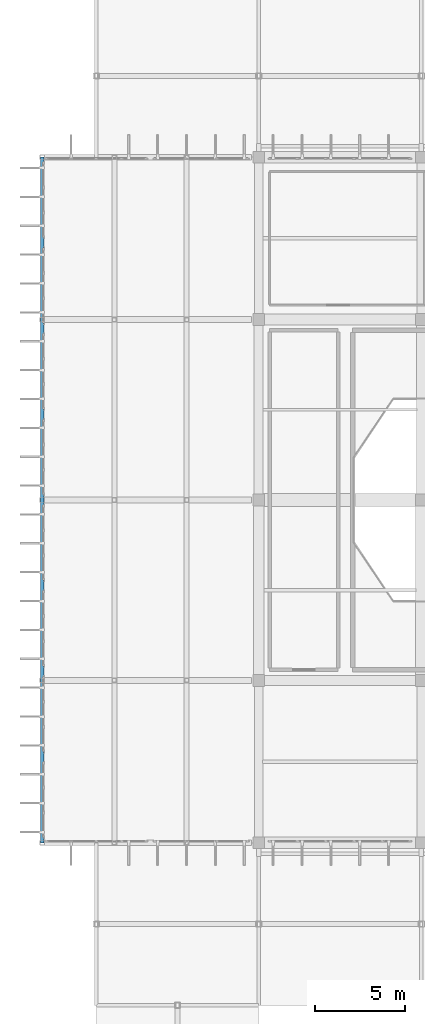
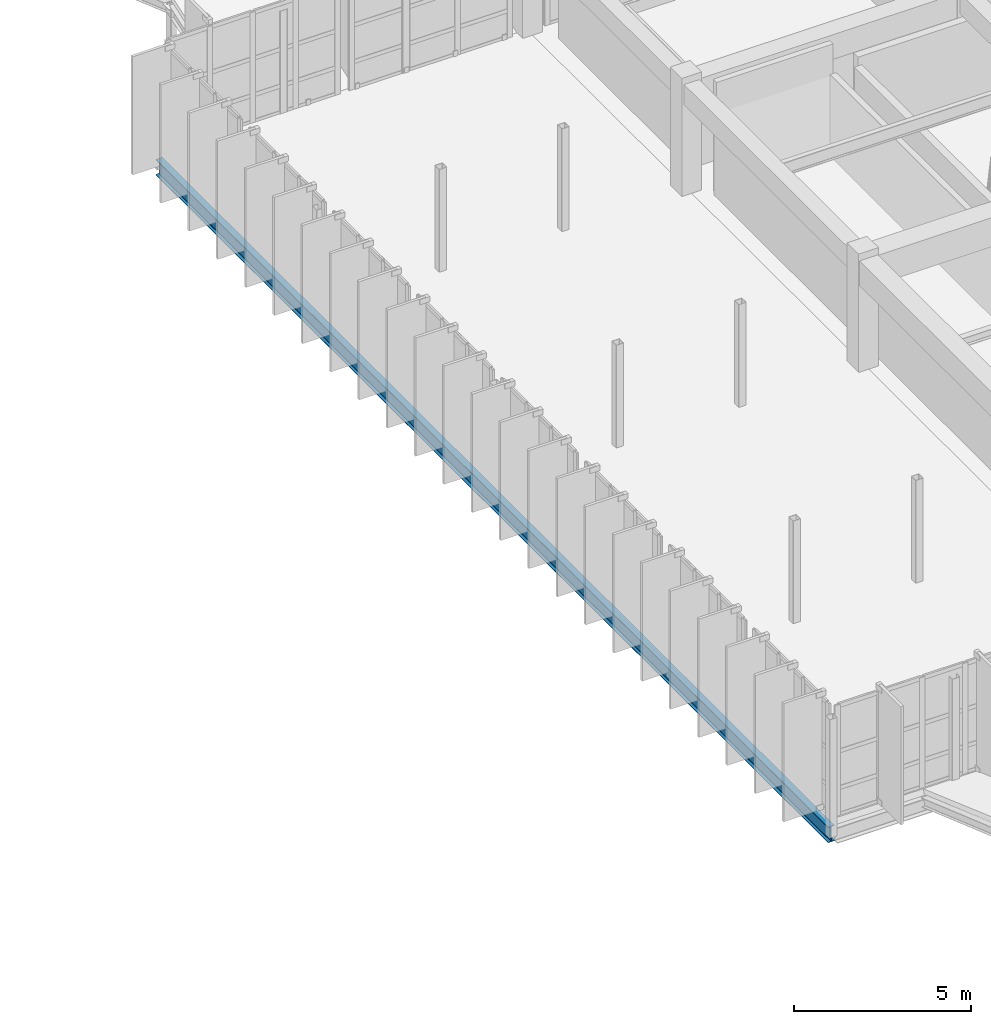
# One storey, part 24 of 80: 1 beam.
"""IFC4 building model written with IfcOpenShell, lengths in metres."""

from ifc_helpers import new_model, si_unit, direction, frame, origin, origin_2d, place, context, subcontext, project, spatial, i_section, extrude, material, material_profile, profile_set, type_object, element, save


model = new_model("IFC4")

# Units and contexts
model_context = context("Model", 3, precision=1e-05, world=origin(), true_north=direction((0.0, 1.0)))
body_context = subcontext(model_context, "Body", "Model", "MODEL_VIEW")
ifc_project = project(units=[si_unit("LENGTHUNIT", "METRE"), si_unit("AREAUNIT", "SQUARE_METRE"), si_unit("VOLUMEUNIT", "CUBIC_METRE"), si_unit("PLANEANGLEUNIT", "RADIAN"), si_unit("MASSUNIT", "GRAM", prefix="KILO")], contexts=[model_context])

# Site, building, storey
site_placement = place(None, origin())
site = spatial("IfcSite", under=ifc_project, at=site_placement, CompositionType="ELEMENT")
building_placement = place(site_placement, origin())
building = spatial("IfcBuilding", under=site, at=building_placement, Name="Miravela Opera House", CompositionType="ELEMENT")
storey_placement = place(building_placement, frame((0.0, 0.0, 17.679931640625)))
storey = spatial("IfcBuildingStorey", under=building, at=storey_placement, Name="L04", CompositionType="ELEMENT", Elevation=17.679931640625)

# Beam
ifc_material = material(Name="Structural steel ASTM A992 Gr. 50", Category="steel")
ifc_material_profile = material_profile(ifc_material, i_section(OverallWidth=0.2109375, OverallDepth=0.5390625, WebThickness=0.01171875, FlangeThickness=0.018798828125, FilletRadius=0.01611328125, at=origin_2d()), Name="W530X109")
ifc_profile_set = profile_set([ifc_material_profile])
beam_type = type_object("IfcBeamType", Name="STR-BM-W530X109", PredefinedType="SPANDREL", material=ifc_profile_set)
beam_placement = place(storey_placement, frame((15.0, 37.0, -0.509521484375), z_axis=(0.0, 1.0, 0.0), x_axis=(-1.0, 0.0, 0.0)))
element("IfcBeam", 1, at=beam_placement, inside=storey, type_object=beam_type, Name="Cantilever Overhang Fascia Spandrel L04 X=15", PredefinedType="SPANDREL", context=body_context, shape_type="SweptSolid", body=[
    extrude(i_section(OverallWidth=0.2109375, OverallDepth=0.5390625, WebThickness=0.01171875, FlangeThickness=0.018798828125, FilletRadius=0.01611328125, at=origin_2d()), origin(), (0.0, 0.0, 1.0), 38.0),
])

save(model, "model.ifc")
